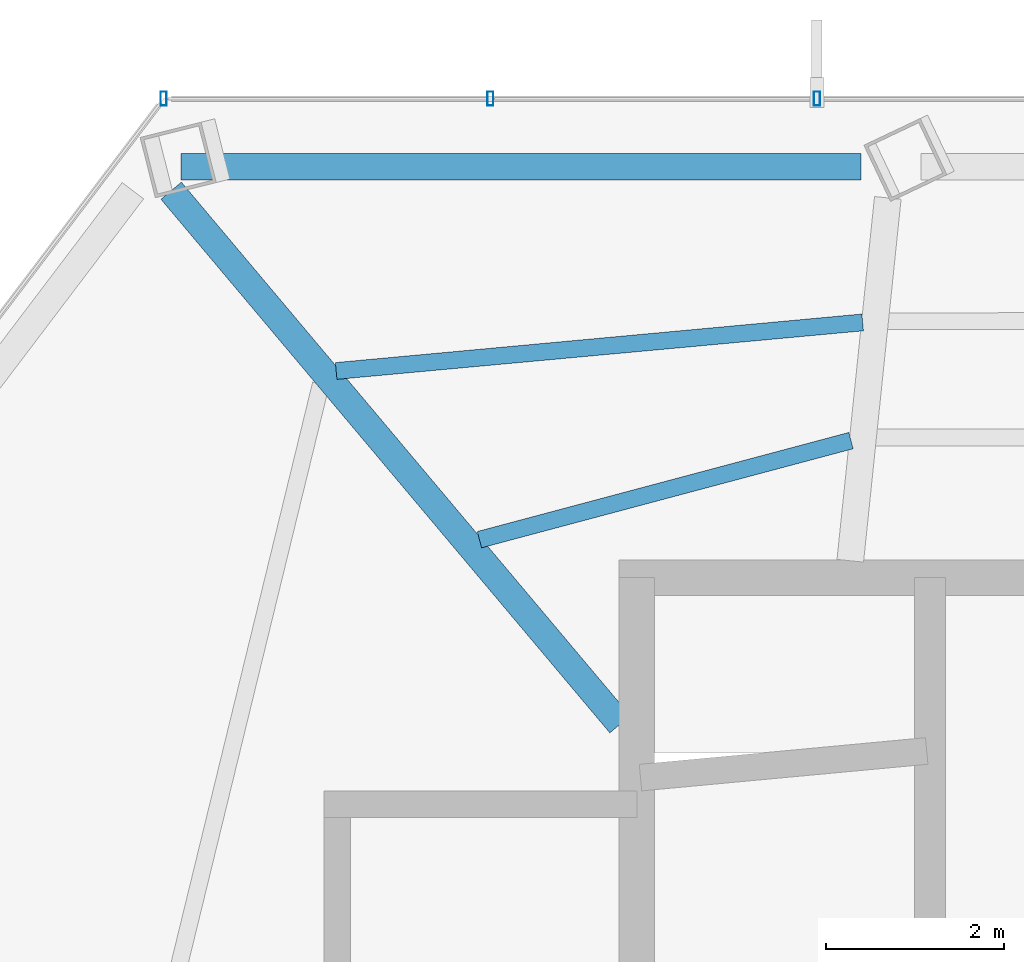
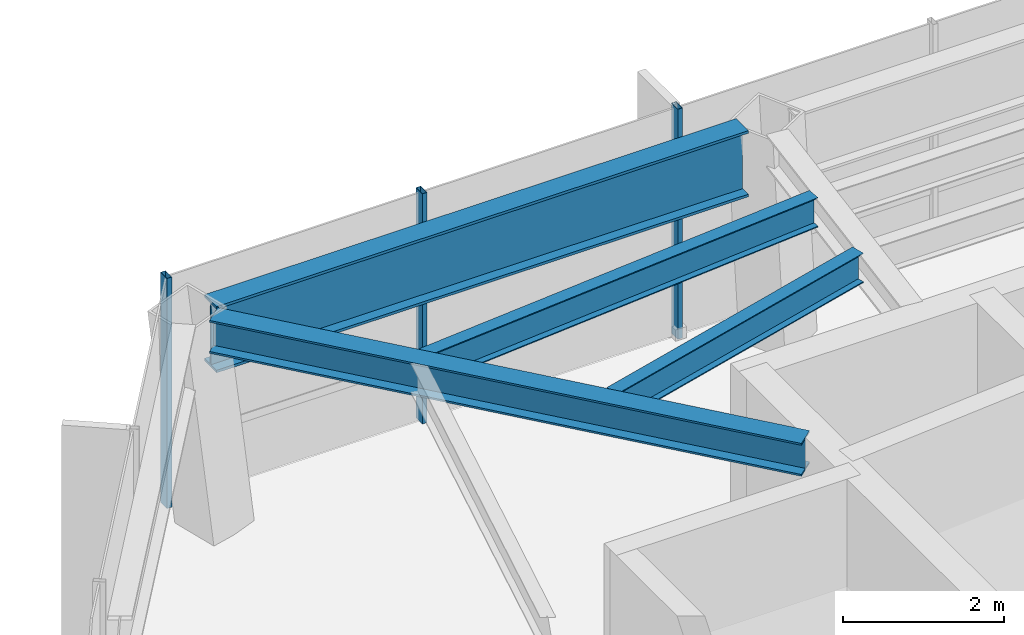
# One storey, part 12 of 27: 4 beams, 3 members, 1 element without a shape of its own.
"""IFC4 building model written with IfcOpenShell, lengths in metres."""

from ifc_helpers import new_model, si_unit, direction, frame, origin, origin_2d, place, context, subcontext, project, spatial, hollow_rectangle, i_section, extrude, material, layer, layer_set, material_profile, profile_set, type_object, element, aggregate, save


model = new_model("IFC4")

# Units and contexts
model_context = context("Model", 3, precision=1e-05, world=origin(), true_north=direction((0.0, 1.0)))
body_context = subcontext(model_context, "Body", "Model", "MODEL_VIEW")
ifc_project = project(units=[si_unit("LENGTHUNIT", "METRE"), si_unit("AREAUNIT", "SQUARE_METRE"), si_unit("VOLUMEUNIT", "CUBIC_METRE"), si_unit("PLANEANGLEUNIT", "RADIAN"), si_unit("MASSUNIT", "GRAM", prefix="KILO")], contexts=[model_context])

# Site, building, storey
site_placement = place(None, origin())
site = spatial("IfcSite", under=ifc_project, at=site_placement, CompositionType="ELEMENT")
building_placement = place(site_placement, origin())
building = spatial("IfcBuilding", under=site, at=building_placement, Name="Zarrinselat Tower", CompositionType="ELEMENT")
storey_placement = place(building_placement, frame((0.0, 0.0, 172.0400390625)))
storey = spatial("IfcBuildingStorey", under=building, at=storey_placement, Name="L42", CompositionType="ELEMENT", Elevation=172.0400390625)

# Beams
ifc_material_1 = material(Name="Steel S355J2", Category="steel")
ifc_material_profile_1 = material_profile(ifc_material_1, i_section(OverallWidth=0.300048828125, OverallDepth=0.5, WebThickness=0.014404296875, FlangeThickness=0.028076171875, at=origin_2d()), Name="HEB 500")
ifc_profile_set_1 = profile_set([ifc_material_profile_1], Name="Steel S355J2")
beam_type_1 = type_object("IfcBeamType", Name="BM-HEB500", PredefinedType="BEAM", material=ifc_profile_set_1)
beam_1_placement = place(storey_placement, frame((23.359619140625, 47.802978515625, 3.25), z_axis=(0.643777249364, -0.76521294631, 0.0), x_axis=(0.76521294631, 0.643777249364, 0.0)))
element("IfcBeam", 1, at=beam_1_placement, inside=storey, type_object=beam_type_1, Name="L42 Radial Primary Girder RG05", PredefinedType="BEAM", context=body_context, shape_type="SweptSolid", body=[
    extrude(i_section(OverallWidth=0.300048828125, OverallDepth=0.5, WebThickness=0.014404296875, FlangeThickness=0.028076171875, at=origin_2d()), origin(), (0.0, 0.0, 1.0), 7.8447265625),
])
ifc_material_2 = material(Name="Steel S460M", Category="steel")
ifc_material_profile_2 = material_profile(ifc_material_2, i_section(OverallWidth=0.302001953125, OverallDepth=1.008056640625, WebThickness=0.02099609375, FlangeThickness=0.0400390625, at=origin_2d()), Name="HEM 1000")
ifc_profile_set_2 = profile_set([ifc_material_profile_2], Name="Steel S460M")
beam_type_2 = type_object("IfcBeamType", Name="BM-HEM1000", PredefinedType="BEAM", material=ifc_profile_set_2)
beam_2_placement = place(storey_placement, frame((23.470947265625, 48.072265625, 2.995849609375), z_axis=(1.0, 0.0, 0.0), x_axis=(0.0, 1.0, 0.0)))
element("IfcBeam", 2, at=beam_2_placement, inside=storey, type_object=beam_type_2, Name="L42 Perimeter Spandrel Girder SP04", PredefinedType="BEAM", context=body_context, shape_type="SweptSolid", body=[
    extrude(i_section(OverallWidth=0.302001953125, OverallDepth=1.008056640625, WebThickness=0.02099609375, FlangeThickness=0.0400390625, at=origin_2d()), origin(), (0.0, 0.0, 1.0), 7.649658203125),
])
ifc_material_3 = material(Name="Steel S355J2", Category="steel")
ifc_material_profile_3 = material_profile(ifc_material_3, i_section(OverallWidth=0.18994140625, OverallDepth=0.449951171875, WebThickness=0.009521484375, FlangeThickness=0.0146484375, at=origin_2d()), Name="IPE 450")
ifc_profile_set_3 = profile_set([ifc_material_profile_3], Name="Steel S355J2")
beam_type_3 = type_object("IfcBeamType", Name="BM-IPE450", PredefinedType="JOIST", material=ifc_profile_set_3)
beam_3_placement = place(storey_placement, frame((25.216064453125, 45.77490234375, 3.27490234375), z_axis=(0.99577257183, 0.091853063051, 0.0), x_axis=(-0.091853063051, 0.99577257183, 0.0)))
element("IfcBeam", 3, at=beam_3_placement, inside=storey, type_object=beam_type_3, Name="L42 Composite Floor Joist 9-1", PredefinedType="JOIST", context=body_context, shape_type="SweptSolid", body=[
    extrude(i_section(OverallWidth=0.18994140625, OverallDepth=0.449951171875, WebThickness=0.009521484375, FlangeThickness=0.0146484375, at=origin_2d()), origin(), (0.0, 0.0, 1.0), 5.948486328125),
])
beam_4_placement = place(storey_placement, frame((26.828125, 43.877197265625, 3.27490234375), z_axis=(0.966247114954, 0.257616988656, 0.0), x_axis=(-0.257616988656, 0.966247114954, 0.0)))
element("IfcBeam", 4, at=beam_4_placement, inside=storey, type_object=beam_type_3, Name="L42 Composite Floor Joist 9-2", PredefinedType="JOIST", context=body_context, shape_type="SweptSolid", body=[
    extrude(i_section(OverallWidth=0.18994140625, OverallDepth=0.449951171875, WebThickness=0.009521484375, FlangeThickness=0.0146484375, at=origin_2d()), origin(), (0.0, 0.0, 1.0), 4.326171875),
])

# Curtain wall, members
ifc_material_4 = material(Name="Extruded Aluminium Alloy EN AW-6063 T6", Category="aluminium")
ifc_layer = layer(ifc_material_4, 0.175048828125)
ifc_layer_set = layer_set([ifc_layer], Name="Extruded Aluminium Alloy EN AW-6063 T6")
curtain_wall_type = type_object("IfcCurtainWallType", Name="CWS-HTL", PredefinedType="NOTDEFINED", material=ifc_layer_set)
curtain_wall_placement = place(storey_placement, origin())
curtain_wall = element("IfcCurtainWall", 5, at=curtain_wall_placement, inside=storey, type_object=curtain_wall_type, Name="L42 Unitised Curtain Wall CW-L42-E01", PredefinedType="NOTDEFINED")
ifc_material_5 = material(Name="Extruded Aluminium Alloy EN AW-6063 T6", Category="aluminium")
ifc_material_profile_4 = material_profile(ifc_material_5, hollow_rectangle(XDim=0.070068359375, YDim=0.159912109375, WallThickness=0.00390625, at=origin_2d()), Name="RHS 160x70x4")
ifc_profile_set_4 = profile_set([ifc_material_profile_4], Name="Extruded Aluminium Alloy EN AW-6063 T6")
member_type = type_object("IfcMemberType", Name="MEM-CW-MUL2", PredefinedType="MULLION", material=ifc_profile_set_4)
member_1_placement = place(storey_placement, frame((30.62451171875, 48.8388671875, 0.0), z_axis=(0.0, 0.0, 1.0), x_axis=(-1.0, 0.0, 0.0)))
member_1 = element("IfcMember", 6, at=member_1_placement, type_object=member_type, Name="CW-L42-E01 Mullion 9", PredefinedType="MULLION", context=body_context, shape_type="SweptSolid", body=[
    extrude(hollow_rectangle(XDim=0.070068359375, YDim=0.159912109375, WallThickness=0.00390625, at=origin_2d()), origin(), (0.0, 0.0, 1.0), 3.5),
])
member_2_placement = place(storey_placement, frame((26.949951171875, 48.8388671875, 0.0), z_axis=(0.0, 0.0, 1.0), x_axis=(-1.0, 0.0, 0.0)))
member_2 = element("IfcMember", 7, at=member_2_placement, type_object=member_type, Name="CW-L42-E01 Mullion 10", PredefinedType="MULLION", context=body_context, shape_type="SweptSolid", body=[
    extrude(hollow_rectangle(XDim=0.070068359375, YDim=0.159912109375, WallThickness=0.00390625, at=origin_2d()), origin(), (0.0, 0.0, 1.0), 3.5),
])
member_3_placement = place(storey_placement, frame((23.275390625, 48.8388671875, 0.0), z_axis=(0.0, 0.0, 1.0), x_axis=(-1.0, 0.0, 0.0)))
member_3 = element("IfcMember", 8, at=member_3_placement, type_object=member_type, Name="CW-L42-E01 Mullion 11", PredefinedType="MULLION", context=body_context, shape_type="SweptSolid", body=[
    extrude(hollow_rectangle(XDim=0.070068359375, YDim=0.159912109375, WallThickness=0.00390625, at=origin_2d()), origin(), (0.0, 0.0, 1.0), 3.5),
])
aggregate(curtain_wall, [member_1, member_2, member_3])

save(model, "model.ifc")
